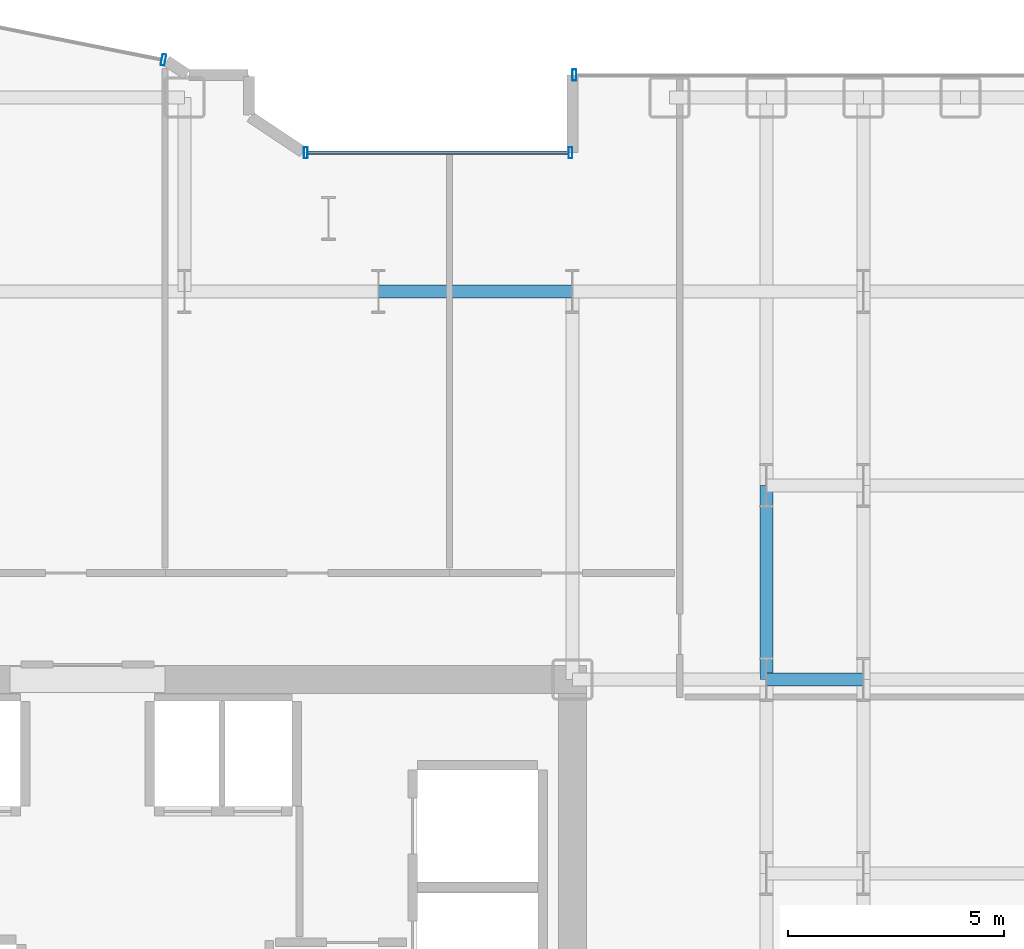
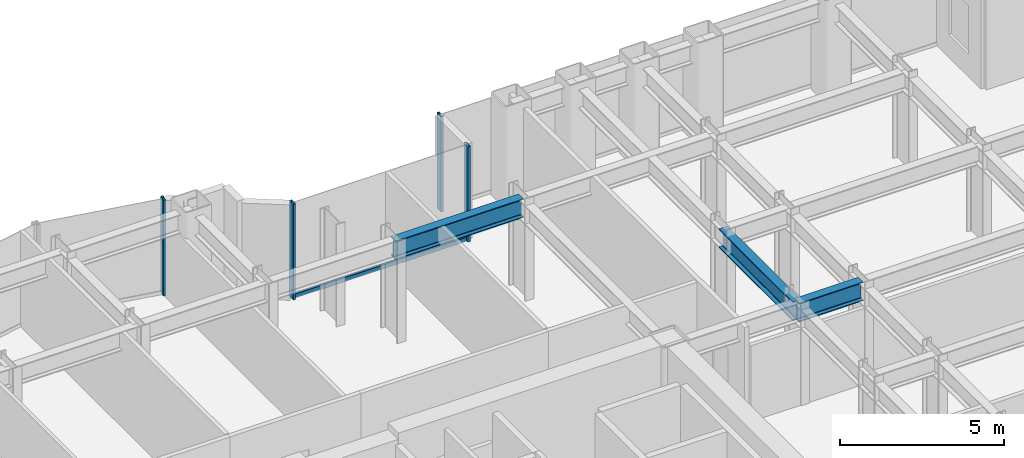
# One storey, part 12 of 25: 5 members, 3 beams, 3 elements without a shape of their own.
"""IFC4 building model written with IfcOpenShell, lengths in metres."""

from ifc_helpers import new_model, si_unit, direction, frame, origin, origin_2d, place, context, subcontext, project, spatial, hollow_rectangle, i_section, extrude, source, transform, mapped, material, layer, layer_set, material_profile, profile_set, type_object, element, aggregate, save


model = new_model("IFC4")

# Units and contexts
model_context = context("Model", 3, precision=1e-05, world=origin(), true_north=direction((0.0, 1.0)))
body_context = subcontext(model_context, "Body", "Model", "MODEL_VIEW")
ifc_project = project(units=[si_unit("LENGTHUNIT", "METRE"), si_unit("AREAUNIT", "SQUARE_METRE"), si_unit("VOLUMEUNIT", "CUBIC_METRE"), si_unit("PLANEANGLEUNIT", "RADIAN"), si_unit("MASSUNIT", "GRAM", prefix="KILO")], contexts=[model_context])

# Site, building, storey
site_placement = place(None, origin())
site = spatial("IfcSite", under=ifc_project, at=site_placement, CompositionType="ELEMENT")
building_placement = place(site_placement, origin())
building = spatial("IfcBuilding", under=site, at=building_placement, Name="Nefas-Gora Pilgrimage Tower", CompositionType="ELEMENT")
storey_placement = place(building_placement, frame((0.0, 0.0, 74.800048828125)))
storey = spatial("IfcBuildingStorey", under=building, at=storey_placement, Name="L17", CompositionType="ELEMENT", Elevation=74.800048828125)

# Beams
ifc_material_1 = material(Name="Steel S355", Category="steel")
ifc_material_profile_1 = material_profile(ifc_material_1, i_section(OverallWidth=0.300048828125, OverallDepth=0.699951171875, WebThickness=0.01708984375, FlangeThickness=0.031982421875, FilletRadius=0.027099609375, at=origin_2d()), Name="HEB 700")
ifc_profile_set_1 = profile_set([ifc_material_profile_1], Name="Steel S355")
beam_type = type_object("IfcBeamType", Name="BM-GIR-HEB700", PredefinedType="BEAM", material=ifc_profile_set_1)
shared_shape_1 = source(origin(), body_context, "Body", "SweptSolid", [
    extrude(i_section(OverallWidth=0.300048828125, OverallDepth=0.699951171875, WebThickness=0.01708984375, FlangeThickness=0.031982421875, FilletRadius=0.027099609375, at=origin_2d()), origin(), (0.0, 0.0, 1.0), 4.5),
])
for number, where, z_axis, x_axis, name in (
    (1, (6.75, 18.0, 3.199951171875), (1.0, 0.0, 0.0), (0.0, 1.0, 0.0), "L17 G-02 beam"),
    (2, (15.75, 9.0, 3.199951171875), (0.0, 1.0, 0.0), (-1.0, 0.0, 0.0), "L17 G-02 beam"),
):
    element("IfcBeam", number, at=place(storey_placement, frame(where, z_axis=z_axis, x_axis=x_axis)), inside=storey, type_object=beam_type, Name=name, PredefinedType="BEAM", context=body_context, shape_type="MappedRepresentation", body=[
        mapped(shared_shape_1, transform((0.0, 0.0, 0.0), x_axis=(1.0, 0.0, 0.0), y_axis=(0.0, 1.0, 0.0), z_axis=(0.0, 0.0, 1.0), scale=1.0)),
    ])
shared_shape_2 = source(origin(), body_context, "Body", "SweptSolid", [
    extrude(i_section(OverallWidth=0.300048828125, OverallDepth=0.699951171875, WebThickness=0.01708984375, FlangeThickness=0.031982421875, FilletRadius=0.027099609375, at=origin_2d()), origin(), (0.0, 0.0, 1.0), 2.25),
])
beam_placement = place(storey_placement, frame((15.75, 9.0, 3.199951171875), z_axis=(1.0, 0.0, 0.0), x_axis=(0.0, 1.0, 0.0)))
element("IfcBeam", 3, at=beam_placement, inside=storey, type_object=beam_type, Name="L17 G-02 beam", PredefinedType="BEAM", context=body_context, shape_type="MappedRepresentation", body=[
    mapped(shared_shape_2, transform((0.0, 0.0, 0.0), x_axis=(1.0, 0.0, 0.0), y_axis=(0.0, 1.0, 0.0), z_axis=(0.0, 0.0, 1.0), scale=1.0)),
])

# Curtain wall, members
ifc_material_2 = material(Name="Dark ceramic-fritted solar-control aluminium-glass curtain wall", Category="aluminium")
ifc_layer_1 = layer(ifc_material_2, 0.219970703125)
ifc_layer_set_1 = layer_set([ifc_layer_1], Name="Dark ceramic-fritted solar-control aluminium-glass curtain wall")
curtain_wall_type_1 = type_object("IfcCurtainWallType", Name="CW-SYS-5", PredefinedType="NOTDEFINED", material=ifc_layer_set_1)
curtain_wall_1_placement = place(storey_placement, origin())
curtain_wall_1 = element("IfcCurtainWall", 4, at=curtain_wall_1_placement, inside=storey, type_object=curtain_wall_type_1, Name="L17 Unitised Curtain Wall CW5", PredefinedType="NOTDEFINED")
ifc_material_3 = material(Name="Anodised architectural aluminium", Category="aluminium")
ifc_material_profile_2 = material_profile(ifc_material_3, hollow_rectangle(XDim=0.090087890625, YDim=0.260009765625, WallThickness=0.006103515625, InnerFilletRadius=0.006103515625, OuterFilletRadius=0.011962890625, at=origin_2d()), Name="ALU MULLION 90x260")
ifc_profile_set_2 = profile_set([ifc_material_profile_2], Name="Anodised architectural aluminium")
member_type_1 = type_object("IfcMemberType", Name="CWM-MUL-5", PredefinedType="MULLION", material=ifc_profile_set_2)
shared_shape_3 = source(origin(), body_context, "Body", "SweptSolid", [
    extrude(hollow_rectangle(XDim=0.090087890625, YDim=0.260009765625, WallThickness=0.006103515625, InnerFilletRadius=0.006103515625, OuterFilletRadius=0.011962890625, at=origin_2d()), origin(), (0.0, 0.0, 1.0), 3.550048828125),
])
member_1_placement = place(storey_placement, frame((11.205078125, 21.219970703125, 0.0), z_axis=(0.0, 0.0, 1.0), x_axis=(-1.0, 0.0, 0.0)))
member_1 = element("IfcMember", 5, at=member_1_placement, type_object=member_type_1, Name="CW5 Mullion 1", PredefinedType="MULLION", context=body_context, shape_type="MappedRepresentation", body=[
    mapped(shared_shape_3, transform((0.0, 0.0, 0.0), x_axis=(1.0, 0.0, 0.0), y_axis=(0.0, 1.0, 0.0), z_axis=(0.0, 0.0, 1.0), scale=1.0)),
])
member_2_placement = place(storey_placement, frame((5.06298828125, 21.219970703125, 0.0), z_axis=(0.0, 0.0, 1.0), x_axis=(-1.0, 0.0, 0.0)))
member_2 = element("IfcMember", 6, at=member_2_placement, type_object=member_type_1, Name="CW5 Mullion 2", PredefinedType="MULLION", context=body_context, shape_type="MappedRepresentation", body=[
    mapped(shared_shape_3, transform((0.0, 0.0, 0.0), x_axis=(1.0, 0.0, 0.0), y_axis=(0.0, 1.0, 0.0), z_axis=(0.0, 0.0, 1.0), scale=1.0)),
])

# Curtain wall, member
curtain_wall_2_placement = place(storey_placement, origin())
curtain_wall_2 = element("IfcCurtainWall", 7, at=curtain_wall_2_placement, inside=storey, type_object=curtain_wall_type_1, Name="L17 Unitised Curtain Wall CW5", PredefinedType="NOTDEFINED")
member_3_placement = place(storey_placement, frame((1.76318359375, 23.3740234375, 0.0), z_axis=(0.0, 0.0, 1.0), x_axis=(-0.980782896852, 0.195102304554, 0.0)))
member_3 = element("IfcMember", 8, at=member_3_placement, type_object=member_type_1, Name="CW5 Mullion 1", PredefinedType="MULLION", context=body_context, shape_type="MappedRepresentation", body=[
    mapped(shared_shape_3, transform((0.0, 0.0, 0.0), x_axis=(1.0, 0.0, 0.0), y_axis=(0.0, 1.0, 0.0), z_axis=(0.0, 0.0, 1.0), scale=1.0)),
])
aggregate(curtain_wall_2, [member_3])

# Member
ifc_material_profile_3 = material_profile(ifc_material_3, hollow_rectangle(XDim=0.080078125, YDim=0.159912109375, WallThickness=0.00439453125, InnerFilletRadius=0.00439453125, OuterFilletRadius=0.009033203125, at=origin_2d()), Name="ALU TRANSOM 80x160")
ifc_profile_set_3 = profile_set([ifc_material_profile_3], Name="Anodised architectural aluminium")
member_type_2 = type_object("IfcMemberType", Name="CWM-TRN-5", PredefinedType="USERDEFINED", material=ifc_profile_set_3)
shared_shape_4 = source(origin(), body_context, "Body", "SweptSolid", [
    extrude(hollow_rectangle(XDim=0.080078125, YDim=0.159912109375, WallThickness=0.00439453125, InnerFilletRadius=0.00439453125, OuterFilletRadius=0.009033203125, at=origin_2d()), origin(), (0.0, 0.0, 1.0), 6.052001953125),
])
member_4_placement = place(storey_placement, frame((11.159912109375, 21.219970703125, 0.050048828125), z_axis=(-1.0, 0.0, 0.0), x_axis=(0.0, -1.0, 0.0)))
member_4 = element("IfcMember", 9, at=member_4_placement, type_object=member_type_2, Name="CW5 Spandrel Transom", ObjectType="TRANSOM", PredefinedType="USERDEFINED", context=body_context, shape_type="MappedRepresentation", body=[
    mapped(shared_shape_4, transform((0.0, 0.0, 0.0), x_axis=(1.0, 0.0, 0.0), y_axis=(0.0, 1.0, 0.0), z_axis=(0.0, 0.0, 1.0), scale=1.0)),
])

aggregate(curtain_wall_1, [member_1, member_2, member_4])

# Curtain wall, member
ifc_layer_2 = layer(ifc_material_2, 0.219970703125)
ifc_layer_set_2 = layer_set([ifc_layer_2], Name="Dark ceramic-fritted solar-control aluminium-glass curtain wall")
curtain_wall_type_2 = type_object("IfcCurtainWallType", Name="CW-SYS-2", PredefinedType="NOTDEFINED", material=ifc_layer_set_2)
curtain_wall_3_placement = place(storey_placement, origin())
curtain_wall_3 = element("IfcCurtainWall", 10, at=curtain_wall_3_placement, inside=storey, type_object=curtain_wall_type_2, Name="L17 Unitised Curtain Wall CW2", PredefinedType="NOTDEFINED")
ifc_material_profile_4 = material_profile(ifc_material_3, hollow_rectangle(XDim=0.090087890625, YDim=0.260009765625, WallThickness=0.006103515625, InnerFilletRadius=0.006103515625, OuterFilletRadius=0.011962890625, at=origin_2d()), Name="ALU MULLION 90x260")
ifc_profile_set_4 = profile_set([ifc_material_profile_4], Name="Anodised architectural aluminium")
member_type_3 = type_object("IfcMemberType", Name="CWM-MUL-2", PredefinedType="MULLION", material=ifc_profile_set_4)
shared_shape_5 = source(origin(), body_context, "Body", "SweptSolid", [
    extrude(hollow_rectangle(XDim=0.090087890625, YDim=0.260009765625, WallThickness=0.006103515625, InnerFilletRadius=0.006103515625, OuterFilletRadius=0.011962890625, at=origin_2d()), origin(), (0.0, 0.0, 1.0), 3.550048828125),
])
member_5_placement = place(storey_placement, frame((11.294921875, 23.02001953125, 0.0), z_axis=(0.0, 0.0, 1.0), x_axis=(-1.0, 0.0, 0.0)))
member_5 = element("IfcMember", 11, at=member_5_placement, type_object=member_type_3, Name="CW2 Mullion 2", PredefinedType="MULLION", context=body_context, shape_type="MappedRepresentation", body=[
    mapped(shared_shape_5, transform((0.0, 0.0, 0.0), x_axis=(1.0, 0.0, 0.0), y_axis=(0.0, 1.0, 0.0), z_axis=(0.0, 0.0, 1.0), scale=1.0)),
])
aggregate(curtain_wall_3, [member_5])

save(model, "model.ifc")
